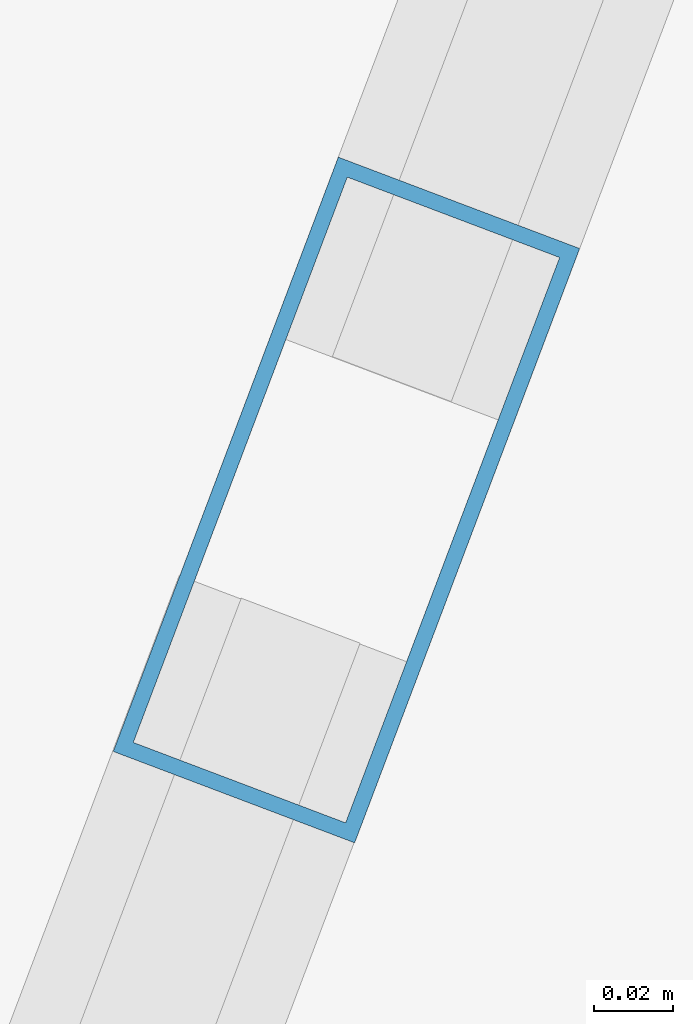
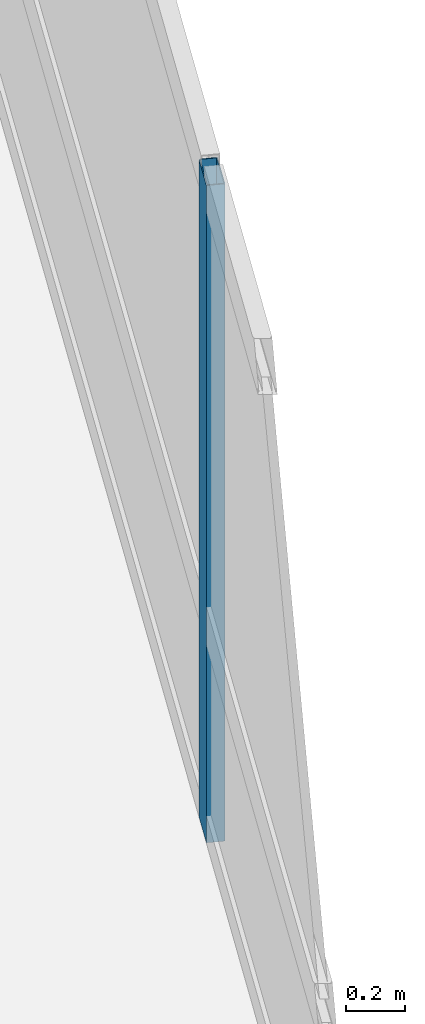
# One storey, part 13 of 24: 1 member, 1 element without a shape of its own.
"""IFC4 building model written with IfcOpenShell, lengths in metres."""

from ifc_helpers import new_model, si_unit, direction, frame, origin, origin_2d, place, context, subcontext, project, spatial, hollow_rectangle, extrude, material, layer, layer_set, material_profile, profile_set, type_object, element, aggregate, save


model = new_model("IFC4")

# Units and contexts
model_context = context("Model", 3, precision=1e-05, world=origin(), true_north=direction((0.0, 1.0)))
body_context = subcontext(model_context, "Body", "Model", "MODEL_VIEW")
ifc_project = project(units=[si_unit("LENGTHUNIT", "METRE"), si_unit("AREAUNIT", "SQUARE_METRE"), si_unit("VOLUMEUNIT", "CUBIC_METRE"), si_unit("PLANEANGLEUNIT", "RADIAN"), si_unit("MASSUNIT", "GRAM", prefix="KILO")], contexts=[model_context])

# Site, building, storey
site_placement = place(None, origin())
site = spatial("IfcSite", under=ifc_project, at=site_placement, CompositionType="ELEMENT")
building_placement = place(site_placement, origin())
building = spatial("IfcBuilding", under=site, at=building_placement, Name="Varnelok Gate Tower", CompositionType="ELEMENT")
storey_placement = place(building_placement, frame((0.0, 0.0, 94.699951171875)))
storey = spatial("IfcBuildingStorey", under=building, at=storey_placement, Name="L23", CompositionType="ELEMENT", Elevation=94.699951171875)

# Curtain wall, member
ifc_material = material(Name="Anodized Aluminum Alloy 6063-T6", Category="aluminium")
ifc_layer = layer(ifc_material, 0.179931640625)
ifc_layer_set = layer_set([ifc_layer], Name="Anodized Aluminum Alloy 6063-T6")
curtain_wall_type = type_object("IfcCurtainWallType", Name="CW3-HOTEL-VISION", PredefinedType="USERDEFINED", material=ifc_layer_set)
curtain_wall_placement = place(storey_placement, origin())
curtain_wall = element("IfcCurtainWall", 1, at=curtain_wall_placement, inside=storey, type_object=curtain_wall_type, Name="L23 East End Vision Curtain Wall", ObjectType="UNITISED CURTAIN WALL", PredefinedType="USERDEFINED")
ifc_material_profile = material_profile(ifc_material, hollow_rectangle(XDim=0.06494140625, YDim=0.159912109375, WallThickness=0.00390625, at=origin_2d()), Name="ALU160X65X4")
ifc_profile_set = profile_set([ifc_material_profile], Name="Anodized Aluminum Alloy 6063-T6")
member_type = type_object("IfcMemberType", Name="CW-MULL-160", PredefinedType="MULLION", material=ifc_profile_set)
member_placement = place(storey_placement, frame((77.8916015625, 22.26416015625, 0.0), z_axis=(0.0, 0.0, 1.0), x_axis=(0.935221323688, -0.354063660545, 0.0)))
member = element("IfcMember", 2, at=member_placement, type_object=member_type, Name="CW3 mullion 2", PredefinedType="MULLION", context=body_context, shape_type="SweptSolid", body=[
    extrude(hollow_rectangle(XDim=0.06494140625, YDim=0.159912109375, WallThickness=0.00390625, at=origin_2d()), origin(), (0.0, 0.0, 1.0), 2.72998046875),
])
aggregate(curtain_wall, [member])

save(model, "model.ifc")
